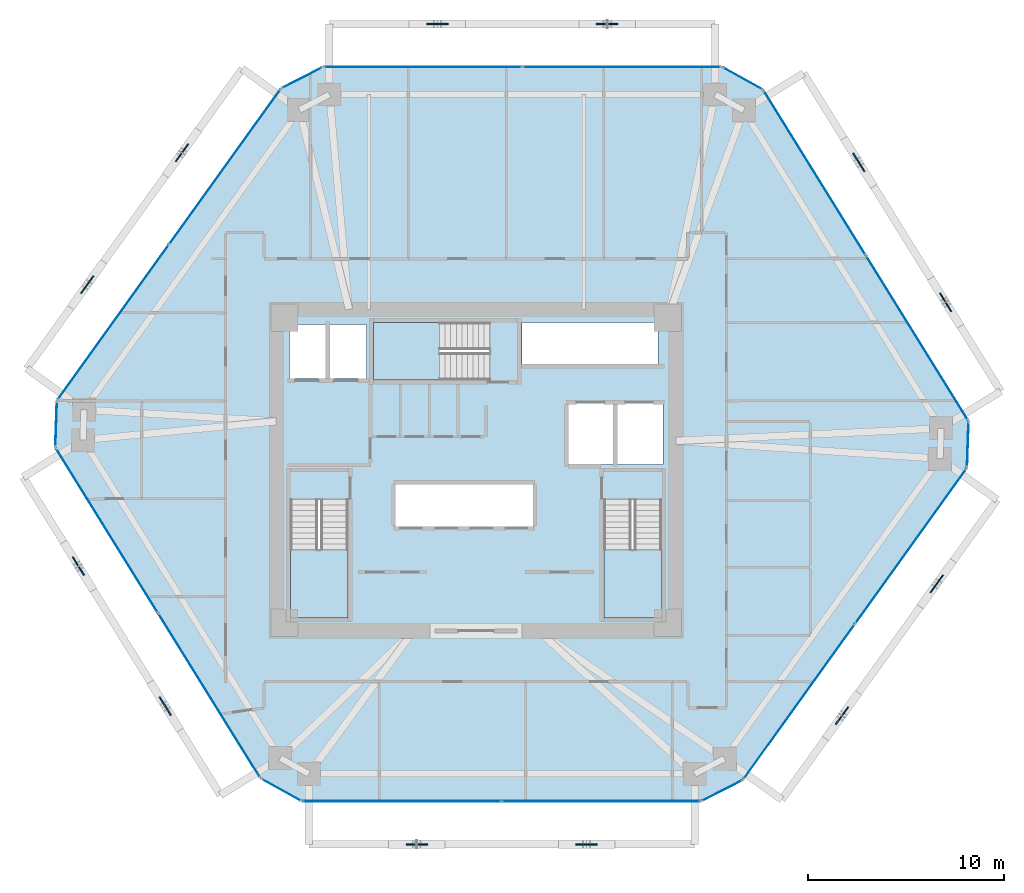
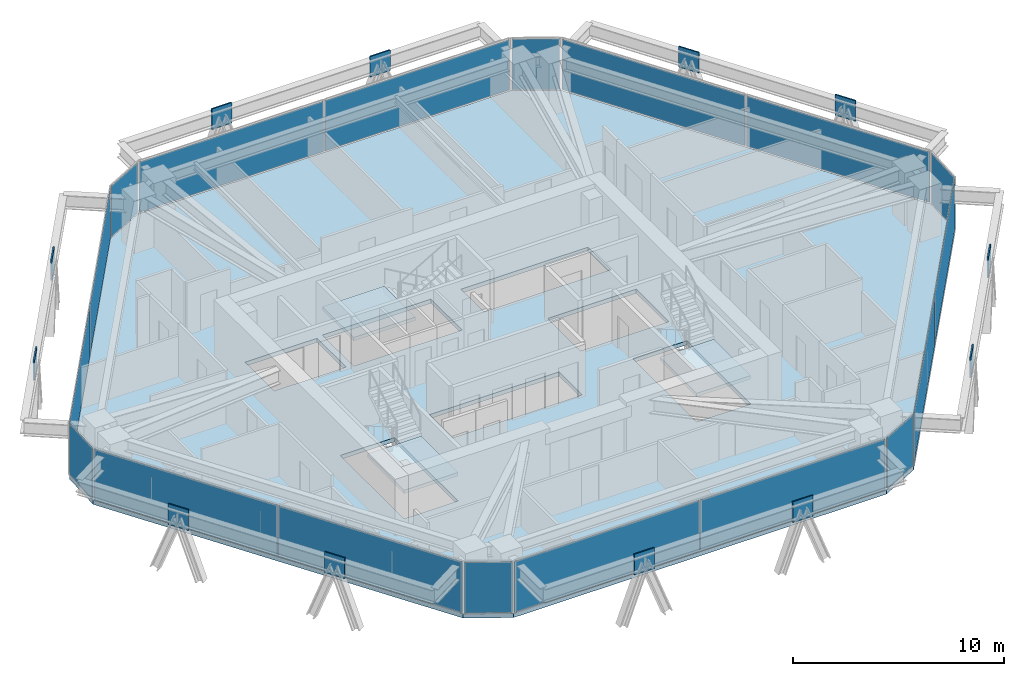
# One storey, part 9 of 16: 30 plates, 4 slabs, 15 elements without a shape of their own.
"""IFC4 building model written with IfcOpenShell, lengths in metres."""

from ifc_helpers import new_model, si_unit, direction, frame, origin, origin_2d, place, context, subcontext, project, spatial, polyline, rectangle, outline, extrude, source, transform, mapped, material, layer, layer_set, type_object, type_shapes, element, aggregate, save


model = new_model("IFC4")

# Units and contexts
model_context = context("Model", 3, precision=1e-05, world=origin(), true_north=direction((0.0, 1.0)))
body_context = subcontext(model_context, "Body", "Model", "MODEL_VIEW")
ifc_project = project(units=[si_unit("LENGTHUNIT", "METRE"), si_unit("AREAUNIT", "SQUARE_METRE"), si_unit("VOLUMEUNIT", "CUBIC_METRE"), si_unit("PLANEANGLEUNIT", "RADIAN"), si_unit("MASSUNIT", "GRAM", prefix="KILO")], contexts=[model_context])

# Site, building, storey
site_placement = place(None, origin())
site = spatial("IfcSite", under=ifc_project, at=site_placement, CompositionType="ELEMENT")
building_placement = place(site_placement, origin())
building = spatial("IfcBuilding", under=site, at=building_placement, Name="Durnholm Broadcast Tower", CompositionType="ELEMENT")
storey_placement = place(building_placement, frame((0.0, 0.0, 123.89990234375)))
storey = spatial("IfcBuildingStorey", under=building, at=storey_placement, Name="L33", CompositionType="ELEMENT", Elevation=123.89990234375)

# Slab
ifc_material_1 = material(Name="Concrete C50/60", Category="concrete")
ifc_layer_1 = layer(ifc_material_1, 0.239990234375)
ifc_layer_set_1 = layer_set([ifc_layer_1], Name="Concrete C50/60")
slab_type_1 = type_object("IfcSlabType", Name="SLAB-FLR-240", PredefinedType="FLOOR", material=ifc_layer_set_1)
slab_1_placement = place(storey_placement, frame((0.0, 0.0, -0.239990234375)))
element("IfcSlab", 1, at=slab_1_placement, inside=storey, type_object=slab_type_1, Name="L33 structural floor slab", PredefinedType="FLOOR", context=body_context, shape_type="SweptSolid", body=[
    extrude(outline(polyline([(-11.012451171875, -15.77001953125), (-8.915283203125, -16.93701171875), (11.51416015625, -16.93701171875), (13.649658203125, -15.841796875), (25.11279296875, 0.114990234375), (25.1943359375, 2.513671875), (14.6904296875, 19.447998046875), (12.59326171875, 20.614990234375), (-7.836181640625, 20.614990234375), (-9.9716796875, 19.519775390625), (-21.434814453125, 3.56298828125), (-21.516357421875, 1.164306640625), (-11.012451171875, -15.77001953125)]), holes=[polyline([(-6.5400390625, -1.5), (-9.5, -1.5), (-9.5, -7.550048828125), (-6.5400390625, -7.550048828125), (-6.5400390625, -1.5)]), polyline([(9.5, -7.550048828125), (9.5, -1.5), (6.5400390625, -1.5), (6.5400390625, -7.550048828125), (9.5, -7.550048828125)]), polyline([(2.949951171875, -0.699951171875), (-4.14990234375, -0.699951171875), (-4.14990234375, -2.89990234375), (2.949951171875, -2.89990234375), (2.949951171875, -0.699951171875)]), polyline([(9.550048828125, 3.39990234375), (4.699951171875, 3.39990234375), (4.699951171875, 0.300048828125), (9.550048828125, 0.300048828125), (9.550048828125, 3.39990234375)]), polyline([(-5.60009765625, 7.449951171875), (-9.550048828125, 7.449951171875), (-9.550048828125, 4.699951171875), (-5.60009765625, 4.699951171875), (-5.60009765625, 7.449951171875)]), polyline([(-5.25, 4.60009765625), (0.699951171875, 4.60009765625), (0.699951171875, 7.56005859375), (-5.25, 7.56005859375), (-5.25, 4.60009765625)]), polyline([(9.31005859375, 7.550048828125), (2.35009765625, 7.550048828125), (2.35009765625, 5.39990234375), (9.31005859375, 5.39990234375), (9.31005859375, 7.550048828125)])]), origin(), (0.0, 0.0, 1.0), 0.239990234375),
])

# Stair, slab
stair_type = type_object("IfcStairType", Name="STAIR-DL-20R1650", PredefinedType="HALF_TURN_STAIR", material=ifc_material_1)
stair_1_placement = place(storey_placement, origin())
stair_1 = element("IfcStair", 2, at=stair_1_placement, inside=storey, type_object=stair_type, Name="L33 ST-1", PredefinedType="HALF_TURN_STAIR")
ifc_layer_2 = layer(ifc_material_1, 0.199951171875)
ifc_layer_set_2 = layer_set([ifc_layer_2], Name="Concrete C50/60")
slab_type_2 = type_object("IfcSlabType", Name="SLAB-LND-200", PredefinedType="LANDING", material=ifc_layer_set_2)
slab_2_placement = place(storey_placement, frame((0.0, 0.0, 1.4501953125)))
slab_2 = element("IfcSlab", 3, at=slab_2_placement, type_object=slab_type_2, Name="ST-1 landing 1", PredefinedType="LANDING", context=body_context, shape_type="SweptSolid", body=[
    extrude(outline(polyline([(-9.5, -4.06494140625), (-9.5, -7.550048828125), (-6.5400390625, -7.550048828125), (-6.5400390625, -4.06494140625), (-9.5, -4.06494140625)])), origin(), (0.0, 0.0, 1.0), 0.199951171875),
])
aggregate(stair_1, [slab_2])

stair_2_placement = place(storey_placement, origin())
stair_2 = element("IfcStair", 4, at=stair_2_placement, inside=storey, type_object=stair_type, Name="L33 ST-2", PredefinedType="HALF_TURN_STAIR")
slab_3_placement = place(storey_placement, frame((0.0, 0.0, 1.4501953125)))
slab_3 = element("IfcSlab", 5, at=slab_3_placement, type_object=slab_type_2, Name="ST-2 landing 1", PredefinedType="LANDING", context=body_context, shape_type="SweptSolid", body=[
    extrude(outline(polyline([(6.5400390625, -4.06494140625), (6.5400390625, -7.550048828125), (9.5, -7.550048828125), (9.5, -4.06494140625), (6.5400390625, -4.06494140625)])), origin(), (0.0, 0.0, 1.0), 0.199951171875),
])
aggregate(stair_2, [slab_3])

stair_3_placement = place(storey_placement, origin())
stair_3 = element("IfcStair", 6, at=stair_3_placement, inside=storey, type_object=stair_type, Name="L33 ST-3", PredefinedType="HALF_TURN_STAIR")
slab_4_placement = place(storey_placement, frame((0.0, 0.0, 1.4501953125)))
slab_4 = element("IfcSlab", 7, at=slab_4_placement, type_object=slab_type_2, Name="ST-3 landing 1", PredefinedType="LANDING", context=body_context, shape_type="SweptSolid", body=[
    extrude(outline(polyline([(-1.864990234375, 7.56005859375), (-5.25, 7.56005859375), (-5.25, 4.60009765625), (-1.864990234375, 4.60009765625), (-1.864990234375, 7.56005859375)])), origin(), (0.0, 0.0, 1.0), 0.199951171875),
])
aggregate(stair_3, [slab_4])

# Plates
ifc_material_2 = material(Name="Steel ASTM A572 Grade 50", Category="steel")
ifc_layer_3 = layer(ifc_material_2, 0.070068359375)
ifc_layer_set_3 = layer_set([ifc_layer_3], Name="Steel ASTM A572 Grade 50")
plate_type_1 = type_object("IfcPlateType", Name="PLT-KN05-GUS", PredefinedType="USERDEFINED", material=ifc_layer_set_3)
shared_shape_1 = source(origin(), body_context, "Body", "SweptSolid", [
    extrude(rectangle(XDim=1.10009765625, YDim=0.070068359375, at=origin_2d()), origin(), (0.0, 0.0, 1.0), 1.199951171875),
])
type_shapes(plate_type_1, [shared_shape_1])
for number, where, z_axis, x_axis, name in (
    (8, (-3.028076171875, -19.136962890625, 1.70849609375), (0.0, 0.0, 1.0), (1.0, 0.0, 0.0), "L33 welded diagrid node gusset plate KN05 F1"),
    (9, (5.65234375, -19.136962890625, 1.70849609375), (0.0, 0.0, 1.0), (1.0, 0.0, 0.0), "L33 welded diagrid node gusset plate KN05 F1"),
    (10, (18.71875, -12.556396484375, 1.70849609375), (0.0, 0.0, 1.0), (0.583399467156, 0.812185361677, 0.0), "L33 welded diagrid node gusset plate KN05 F2"),
    (11, (23.56689453125, -5.807861328125, 1.70849609375), (0.0, 0.0, 1.0), (0.583399467156, 0.812185361677, 0.0), "L33 welded diagrid node gusset plate KN05 F2"),
    (12, (24.01513671875, 8.58837890625, 1.70849609375), (0.0, 0.0, 1.0), (-0.527104121728, 0.849800708906, 0.0), "L33 welded diagrid node gusset plate KN05 F3"),
    (13, (19.576416015625, 15.74462890625, 1.70849609375), (0.0, 0.0, 1.0), (-0.527104121728, 0.849800708906, 0.0), "L33 welded diagrid node gusset plate KN05 F3"),
    (14, (6.7060546875, 22.81494140625, 1.70849609375), (0.0, 0.0, 1.0), (-1.0, 0.0, 0.0), "L33 welded diagrid node gusset plate KN05 F4"),
    (15, (-1.974365234375, 22.81494140625, 1.70849609375), (0.0, 0.0, 1.0), (-1.0, 0.0, 0.0), "L33 welded diagrid node gusset plate KN05 F4"),
    (16, (-15.040771484375, 16.234375, 1.70849609375), (0.0, 0.0, 1.0), (-0.583399467156, -0.812185361677, 0.0), "L33 welded diagrid node gusset plate KN05 F5"),
    (17, (-19.888916015625, 9.48583984375, 1.70849609375), (0.0, 0.0, 1.0), (-0.583399467156, -0.812185361677, 0.0), "L33 welded diagrid node gusset plate KN05 F5"),
    (18, (-20.337158203125, -4.910400390625, 1.70849609375), (0.0, 0.0, 1.0), (0.527104121728, -0.849800708906, 0.0), "L33 welded diagrid node gusset plate KN05 F6"),
    (19, (-15.898193359375, -12.066650390625, 1.70849609375), (0.0, 0.0, 1.0), (0.527104121728, -0.849800708906, 0.0), "L33 welded diagrid node gusset plate KN05 F6"),
):
    element("IfcPlate", number, at=place(storey_placement, frame(where, z_axis=z_axis, x_axis=x_axis)), inside=storey, type_object=plate_type_1, Name=name, ObjectType="GUSSET_PLATE", PredefinedType="USERDEFINED", context=body_context, shape_type="MappedRepresentation", body=[
        mapped(shared_shape_1, transform((0.0, 0.0, 0.0), x_axis=(1.0, 0.0, 0.0), y_axis=(0.0, 1.0, 0.0), z_axis=(0.0, 0.0, 1.0), scale=1.0)),
    ])

# Curtain wall, plate
ifc_material_3 = material(Name="Aluminium and Solar Control IGU", Category="aluminium")
ifc_layer_4 = layer(ifc_material_3, 0.1650390625)
ifc_layer_set_4 = layer_set([ifc_layer_4], Name="Aluminium and Solar Control IGU")
curtain_wall_type_1 = type_object("IfcCurtainWallType", Name="CW-SYS-5", PredefinedType="NOTDEFINED", material=ifc_layer_set_4)
curtain_wall_1_placement = place(storey_placement, origin())
curtain_wall_1 = element("IfcCurtainWall", 20, at=curtain_wall_1_placement, inside=storey, type_object=curtain_wall_type_1, Name="L33 curtain wall CW-CORNER CW-L33-CRN-01", PredefinedType="NOTDEFINED")
ifc_material_4 = material(Name="Low-E Laminated Insulating Glass", Category="glass")
ifc_layer_5 = layer(ifc_material_4, 0.030029296875)
ifc_layer_set_5 = layer_set([ifc_layer_5], Name="Low-E Laminated Insulating Glass")
plate_type_2 = type_object("IfcPlateType", Name="CW-SYS-5-PNL", PredefinedType="CURTAIN_PANEL", material=ifc_layer_set_5)
shared_shape_2 = source(origin(), body_context, "Body", "SweptSolid", [
    extrude(rectangle(XDim=2.27001953125, YDim=0.030029296875, at=origin_2d()), origin(), (0.0, 0.0, 1.0), 2.929931640625),
])
type_shapes(plate_type_2, [shared_shape_2])
plate_1_placement = place(storey_placement, frame((-21.4755859375, 2.36376953125, 0.06494140625), z_axis=(0.0, 0.0, 1.0), x_axis=(0.033916937775, 0.999424655155, 0.0)))
plate_1 = element("IfcPlate", 21, at=plate_1_placement, type_object=plate_type_2, Name="CW-CORNER panel 1.1", PredefinedType="CURTAIN_PANEL", context=body_context, shape_type="MappedRepresentation", body=[
    mapped(shared_shape_2, transform((0.0, 0.0, 0.0), x_axis=(1.0, 0.0, 0.0), y_axis=(0.0, 1.0, 0.0), z_axis=(0.0, 0.0, 1.0), scale=1.0)),
])
aggregate(curtain_wall_1, [plate_1])

curtain_wall_2_placement = place(storey_placement, origin())
curtain_wall_2 = element("IfcCurtainWall", 22, at=curtain_wall_2_placement, inside=storey, type_object=curtain_wall_type_1, Name="L33 curtain wall CW-CORNER CW-L33-CRN-03", PredefinedType="NOTDEFINED")
plate_2_placement = place(storey_placement, frame((-8.904052734375, 20.0673828125, 0.06494140625), z_axis=(0.0, 0.0, 1.0), x_axis=(0.889788396392, 0.45637332267, 0.0)))
plate_2 = element("IfcPlate", 23, at=plate_2_placement, type_object=plate_type_2, Name="CW-CORNER panel 1.1", PredefinedType="CURTAIN_PANEL", context=body_context, shape_type="MappedRepresentation", body=[
    mapped(shared_shape_2, transform((0.0, 0.0, 0.0), x_axis=(1.0, 0.0, 0.0), y_axis=(0.0, 1.0, 0.0), z_axis=(0.0, 0.0, 1.0), scale=1.0)),
])
aggregate(curtain_wall_2, [plate_2])

curtain_wall_3_placement = place(storey_placement, origin())
curtain_wall_3 = element("IfcCurtainWall", 24, at=curtain_wall_3_placement, inside=storey, type_object=curtain_wall_type_1, Name="L33 curtain wall CW-CORNER CW-L33-CRN-05", PredefinedType="NOTDEFINED")
plate_3_placement = place(storey_placement, frame((13.641845703125, 20.031494140625, 0.06494140625), z_axis=(0.0, 0.0, 1.0), x_axis=(0.873822953715, -0.486244224192, 0.0)))
plate_3 = element("IfcPlate", 25, at=plate_3_placement, type_object=plate_type_2, Name="CW-CORNER panel 1.1", PredefinedType="CURTAIN_PANEL", context=body_context, shape_type="MappedRepresentation", body=[
    mapped(shared_shape_2, transform((0.0, 0.0, 0.0), x_axis=(1.0, 0.0, 0.0), y_axis=(0.0, 1.0, 0.0), z_axis=(0.0, 0.0, 1.0), scale=1.0)),
])
aggregate(curtain_wall_3, [plate_3])

curtain_wall_4_placement = place(storey_placement, origin())
curtain_wall_4 = element("IfcCurtainWall", 26, at=curtain_wall_4_placement, inside=storey, type_object=curtain_wall_type_1, Name="L33 curtain wall CW-CORNER CW-L33-CRN-07", PredefinedType="NOTDEFINED")
plate_4_placement = place(storey_placement, frame((25.153564453125, 1.314208984375, 0.06494140625), z_axis=(0.0, 0.0, 1.0), x_axis=(-0.033916937775, -0.999424655155, 0.0)))
plate_4 = element("IfcPlate", 27, at=plate_4_placement, type_object=plate_type_2, Name="CW-CORNER panel 1.1", PredefinedType="CURTAIN_PANEL", context=body_context, shape_type="MappedRepresentation", body=[
    mapped(shared_shape_2, transform((0.0, 0.0, 0.0), x_axis=(1.0, 0.0, 0.0), y_axis=(0.0, 1.0, 0.0), z_axis=(0.0, 0.0, 1.0), scale=1.0)),
])
aggregate(curtain_wall_4, [plate_4])

curtain_wall_5_placement = place(storey_placement, origin())
curtain_wall_5 = element("IfcCurtainWall", 28, at=curtain_wall_5_placement, inside=storey, type_object=curtain_wall_type_1, Name="L33 curtain wall CW-CORNER CW-L33-CRN-09", PredefinedType="NOTDEFINED")
plate_5_placement = place(storey_placement, frame((12.58203125, -16.389404296875, 0.06494140625), z_axis=(0.0, 0.0, 1.0), x_axis=(-0.889788396392, -0.45637332267, 0.0)))
plate_5 = element("IfcPlate", 29, at=plate_5_placement, type_object=plate_type_2, Name="CW-CORNER panel 1.1", PredefinedType="CURTAIN_PANEL", context=body_context, shape_type="MappedRepresentation", body=[
    mapped(shared_shape_2, transform((0.0, 0.0, 0.0), x_axis=(1.0, 0.0, 0.0), y_axis=(0.0, 1.0, 0.0), z_axis=(0.0, 0.0, 1.0), scale=1.0)),
])
aggregate(curtain_wall_5, [plate_5])

curtain_wall_6_placement = place(storey_placement, origin())
curtain_wall_6 = element("IfcCurtainWall", 30, at=curtain_wall_6_placement, inside=storey, type_object=curtain_wall_type_1, Name="L33 curtain wall CW-CORNER CW-L33-CRN-11", PredefinedType="NOTDEFINED")
plate_6_placement = place(storey_placement, frame((-9.9638671875, -16.353515625, 0.06494140625), z_axis=(0.0, 0.0, 1.0), x_axis=(-0.873822953715, 0.486244224192, 0.0)))
plate_6 = element("IfcPlate", 31, at=plate_6_placement, type_object=plate_type_2, Name="CW-CORNER panel 1.1", PredefinedType="CURTAIN_PANEL", context=body_context, shape_type="MappedRepresentation", body=[
    mapped(shared_shape_2, transform((0.0, 0.0, 0.0), x_axis=(1.0, 0.0, 0.0), y_axis=(0.0, 1.0, 0.0), z_axis=(0.0, 0.0, 1.0), scale=1.0)),
])
aggregate(curtain_wall_6, [plate_6])

# Curtain wall, plates
ifc_layer_6 = layer(ifc_material_3, 0.18994140625)
ifc_layer_set_6 = layer_set([ifc_layer_6], Name="Aluminium and Solar Control IGU")
curtain_wall_type_2 = type_object("IfcCurtainWallType", Name="CW-SYS-3", PredefinedType="NOTDEFINED", material=ifc_layer_set_6)
curtain_wall_7_placement = place(storey_placement, origin())
curtain_wall_7 = element("IfcCurtainWall", 32, at=curtain_wall_7_placement, inside=storey, type_object=curtain_wall_type_2, Name="L33 curtain wall CW-Z12-VIS CW-L33-F02", PredefinedType="NOTDEFINED")
ifc_layer_7 = layer(ifc_material_4, 0.031982421875)
ifc_layer_set_7 = layer_set([ifc_layer_7], Name="Low-E Laminated Insulating Glass")
plate_type_3 = type_object("IfcPlateType", Name="CW-SYS-3-PNL", PredefinedType="CURTAIN_PANEL", material=ifc_layer_set_7)
shared_shape_3 = source(origin(), body_context, "Body", "SweptSolid", [
    extrude(rectangle(XDim=9.71875, YDim=0.031982421875, at=origin_2d()), origin(), (0.0, 0.0, 1.0), 2.919921875),
])
plate_7_placement = place(storey_placement, frame((-18.558837890625, 7.56640625, 0.070068359375), z_axis=(0.0, 0.0, 1.0), x_axis=(0.583445473786, 0.812152312759, 0.0)))
plate_7 = element("IfcPlate", 33, at=plate_7_placement, type_object=plate_type_3, Name="CW-Z12-VIS panel 1.1", PredefinedType="CURTAIN_PANEL", context=body_context, shape_type="MappedRepresentation", body=[
    mapped(shared_shape_3, transform((0.0, 0.0, 0.0), x_axis=(1.0, 0.0, 0.0), y_axis=(0.0, 1.0, 0.0), z_axis=(0.0, 0.0, 1.0), scale=1.0)),
])
plate_8_placement = place(storey_placement, frame((-12.84765625, 15.516357421875, 0.070068359375), z_axis=(0.0, 0.0, 1.0), x_axis=(0.583445473786, 0.812152312759, 0.0)))
plate_8 = element("IfcPlate", 34, at=plate_8_placement, type_object=plate_type_3, Name="CW-Z12-VIS panel 2.1", PredefinedType="CURTAIN_PANEL", context=body_context, shape_type="MappedRepresentation", body=[
    mapped(shared_shape_3, transform((0.0, 0.0, 0.0), x_axis=(1.0, 0.0, 0.0), y_axis=(0.0, 1.0, 0.0), z_axis=(0.0, 0.0, 1.0), scale=1.0)),
])
aggregate(curtain_wall_7, [plate_7, plate_8])

curtain_wall_8_placement = place(storey_placement, origin())
curtain_wall_8 = element("IfcCurtainWall", 35, at=curtain_wall_8_placement, inside=storey, type_object=curtain_wall_type_2, Name="L33 curtain wall CW-Z12-VIS CW-L33-F08", PredefinedType="NOTDEFINED")
plate_9_placement = place(storey_placement, frame((22.23681640625, -3.888427734375, 0.070068359375), z_axis=(0.0, 0.0, 1.0), x_axis=(-0.583445473786, -0.812152312759, 0.0)))
plate_9 = element("IfcPlate", 36, at=plate_9_placement, type_object=plate_type_3, Name="CW-Z12-VIS panel 1.1", PredefinedType="CURTAIN_PANEL", context=body_context, shape_type="MappedRepresentation", body=[
    mapped(shared_shape_3, transform((0.0, 0.0, 0.0), x_axis=(1.0, 0.0, 0.0), y_axis=(0.0, 1.0, 0.0), z_axis=(0.0, 0.0, 1.0), scale=1.0)),
])
plate_10_placement = place(storey_placement, frame((16.525634765625, -11.83837890625, 0.070068359375), z_axis=(0.0, 0.0, 1.0), x_axis=(-0.583445473786, -0.812152312759, 0.0)))
plate_10 = element("IfcPlate", 37, at=plate_10_placement, type_object=plate_type_3, Name="CW-Z12-VIS panel 2.1", PredefinedType="CURTAIN_PANEL", context=body_context, shape_type="MappedRepresentation", body=[
    mapped(shared_shape_3, transform((0.0, 0.0, 0.0), x_axis=(1.0, 0.0, 0.0), y_axis=(0.0, 1.0, 0.0), z_axis=(0.0, 0.0, 1.0), scale=1.0)),
])
aggregate(curtain_wall_8, [plate_9, plate_10])

curtain_wall_9_placement = place(storey_placement, origin())
curtain_wall_9 = element("IfcCurtainWall", 38, at=curtain_wall_9_placement, inside=storey, type_object=curtain_wall_type_2, Name="L33 curtain wall CW-Z12-VIS CW-L33-F04", PredefinedType="NOTDEFINED")
shared_shape_4 = source(origin(), body_context, "Body", "SweptSolid", [
    extrude(rectangle(XDim=10.109619140625, YDim=0.031982421875, at=origin_2d()), origin(), (0.0, 0.0, 1.0), 2.919921875),
])
plate_11_placement = place(storey_placement, frame((-2.71142578125, 20.614990234375, 0.070068359375), z_axis=(0.0, 0.0, 1.0), x_axis=(1.0, 0.0, 0.0)))
plate_11 = element("IfcPlate", 39, at=plate_11_placement, type_object=plate_type_3, Name="CW-Z12-VIS panel 1.1", PredefinedType="CURTAIN_PANEL", context=body_context, shape_type="MappedRepresentation", body=[
    mapped(shared_shape_4, transform((0.0, 0.0, 0.0), x_axis=(1.0, 0.0, 0.0), y_axis=(0.0, 1.0, 0.0), z_axis=(0.0, 0.0, 1.0), scale=1.0)),
])
plate_12_placement = place(storey_placement, frame((7.46826171875, 20.614990234375, 0.070068359375), z_axis=(0.0, 0.0, 1.0), x_axis=(1.0, 0.0, 0.0)))
plate_12 = element("IfcPlate", 40, at=plate_12_placement, type_object=plate_type_3, Name="CW-Z12-VIS panel 2.1", PredefinedType="CURTAIN_PANEL", context=body_context, shape_type="MappedRepresentation", body=[
    mapped(shared_shape_4, transform((0.0, 0.0, 0.0), x_axis=(1.0, 0.0, 0.0), y_axis=(0.0, 1.0, 0.0), z_axis=(0.0, 0.0, 1.0), scale=1.0)),
])
aggregate(curtain_wall_9, [plate_11, plate_12])

curtain_wall_10_placement = place(storey_placement, origin())
curtain_wall_10 = element("IfcCurtainWall", 41, at=curtain_wall_10_placement, inside=storey, type_object=curtain_wall_type_2, Name="L33 curtain wall CW-Z12-VIS CW-L33-F10", PredefinedType="NOTDEFINED")
plate_13_placement = place(storey_placement, frame((6.389404296875, -16.93701171875, 0.070068359375), z_axis=(0.0, 0.0, 1.0), x_axis=(-1.0, 0.0, 0.0)))
plate_13 = element("IfcPlate", 42, at=plate_13_placement, type_object=plate_type_3, Name="CW-Z12-VIS panel 1.1", PredefinedType="CURTAIN_PANEL", context=body_context, shape_type="MappedRepresentation", body=[
    mapped(shared_shape_4, transform((0.0, 0.0, 0.0), x_axis=(1.0, 0.0, 0.0), y_axis=(0.0, 1.0, 0.0), z_axis=(0.0, 0.0, 1.0), scale=1.0)),
])
plate_14_placement = place(storey_placement, frame((-3.790283203125, -16.93701171875, 0.070068359375), z_axis=(0.0, 0.0, 1.0), x_axis=(-1.0, 0.0, 0.0)))
plate_14 = element("IfcPlate", 43, at=plate_14_placement, type_object=plate_type_3, Name="CW-Z12-VIS panel 2.1", PredefinedType="CURTAIN_PANEL", context=body_context, shape_type="MappedRepresentation", body=[
    mapped(shared_shape_4, transform((0.0, 0.0, 0.0), x_axis=(1.0, 0.0, 0.0), y_axis=(0.0, 1.0, 0.0), z_axis=(0.0, 0.0, 1.0), scale=1.0)),
])
aggregate(curtain_wall_10, [plate_13, plate_14])

curtain_wall_11_placement = place(storey_placement, origin())
curtain_wall_11 = element("IfcCurtainWall", 44, at=curtain_wall_11_placement, inside=storey, type_object=curtain_wall_type_2, Name="L33 curtain wall CW-Z12-VIS CW-L33-F06", PredefinedType="NOTDEFINED")
shared_shape_5 = source(origin(), body_context, "Body", "SweptSolid", [
    extrude(rectangle(XDim=9.858642578125, YDim=0.031982421875, at=origin_2d()), origin(), (0.0, 0.0, 1.0), 2.919921875),
])
type_shapes(plate_type_3, [shared_shape_3, shared_shape_4, shared_shape_5])
plate_15_placement = place(storey_placement, frame((17.32568359375, 15.199462890625, 0.070068359375), z_axis=(0.0, 0.0, 1.0), x_axis=(0.527105385176, -0.849799925229, 0.0)))
plate_15 = element("IfcPlate", 45, at=plate_15_placement, type_object=plate_type_3, Name="CW-Z12-VIS panel 1.1", PredefinedType="CURTAIN_PANEL", context=body_context, shape_type="MappedRepresentation", body=[
    mapped(shared_shape_5, transform((0.0, 0.0, 0.0), x_axis=(1.0, 0.0, 0.0), y_axis=(0.0, 1.0, 0.0), z_axis=(0.0, 0.0, 1.0), scale=1.0)),
])
plate_16_placement = place(storey_placement, frame((22.55908203125, 6.761962890625, 0.070068359375), z_axis=(0.0, 0.0, 1.0), x_axis=(0.527105385176, -0.849799925229, 0.0)))
plate_16 = element("IfcPlate", 46, at=plate_16_placement, type_object=plate_type_3, Name="CW-Z12-VIS panel 2.1", PredefinedType="CURTAIN_PANEL", context=body_context, shape_type="MappedRepresentation", body=[
    mapped(shared_shape_5, transform((0.0, 0.0, 0.0), x_axis=(1.0, 0.0, 0.0), y_axis=(0.0, 1.0, 0.0), z_axis=(0.0, 0.0, 1.0), scale=1.0)),
])
aggregate(curtain_wall_11, [plate_15, plate_16])

curtain_wall_12_placement = place(storey_placement, origin())
curtain_wall_12 = element("IfcCurtainWall", 47, at=curtain_wall_12_placement, inside=storey, type_object=curtain_wall_type_2, Name="L33 curtain wall CW-Z12-VIS CW-L33-F12", PredefinedType="NOTDEFINED")
plate_17_placement = place(storey_placement, frame((-13.647705078125, -11.521484375, 0.070068359375), z_axis=(0.0, 0.0, 1.0), x_axis=(-0.527105385176, 0.849799925229, 0.0)))
plate_17 = element("IfcPlate", 48, at=plate_17_placement, type_object=plate_type_3, Name="CW-Z12-VIS panel 1.1", PredefinedType="CURTAIN_PANEL", context=body_context, shape_type="MappedRepresentation", body=[
    mapped(shared_shape_5, transform((0.0, 0.0, 0.0), x_axis=(1.0, 0.0, 0.0), y_axis=(0.0, 1.0, 0.0), z_axis=(0.0, 0.0, 1.0), scale=1.0)),
])
plate_18_placement = place(storey_placement, frame((-18.881103515625, -3.083984375, 0.070068359375), z_axis=(0.0, 0.0, 1.0), x_axis=(-0.527105385176, 0.849799925229, 0.0)))
plate_18 = element("IfcPlate", 49, at=plate_18_placement, type_object=plate_type_3, Name="CW-Z12-VIS panel 2.1", PredefinedType="CURTAIN_PANEL", context=body_context, shape_type="MappedRepresentation", body=[
    mapped(shared_shape_5, transform((0.0, 0.0, 0.0), x_axis=(1.0, 0.0, 0.0), y_axis=(0.0, 1.0, 0.0), z_axis=(0.0, 0.0, 1.0), scale=1.0)),
])
aggregate(curtain_wall_12, [plate_17, plate_18])

save(model, "model.ifc")
